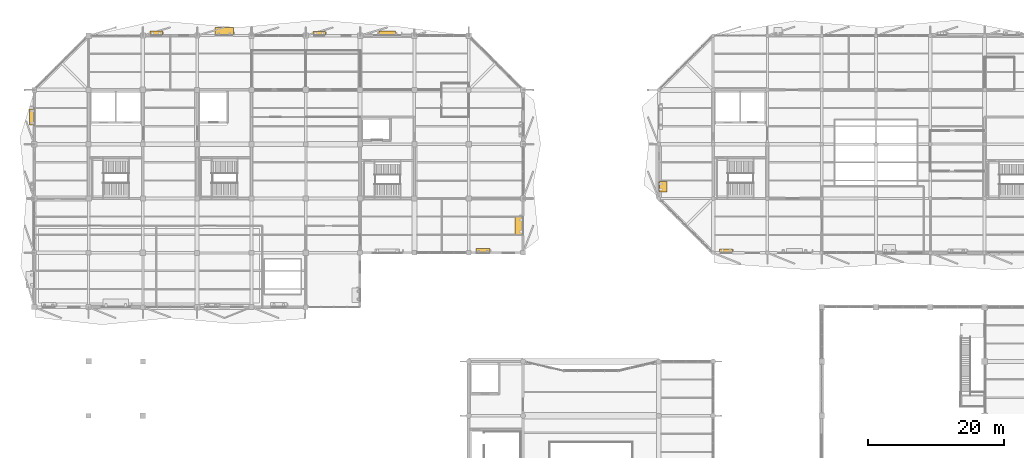
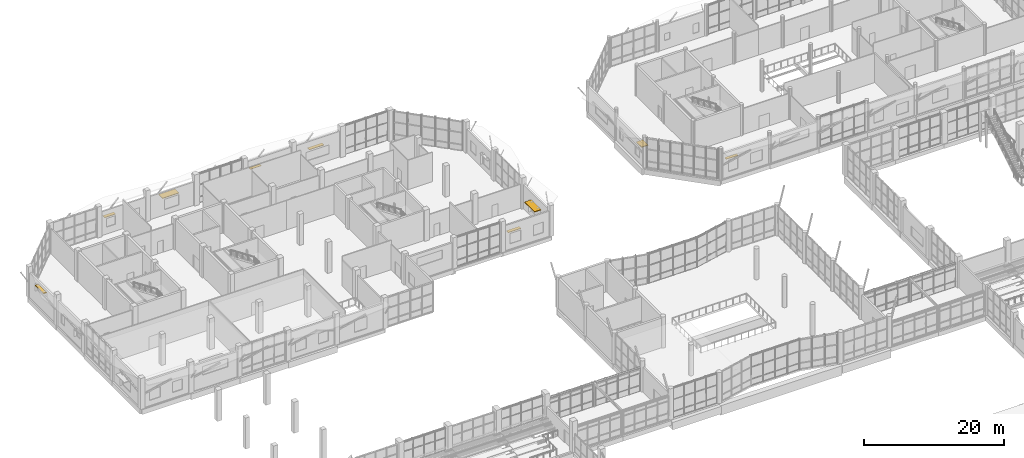
# One storey, part 118 of 122: 9 shading devices.
"""IFC4 building model written with IfcOpenShell, lengths in metres."""

import ifcopenshell
import ifcopenshell.guid

model = None  # the IFC model being written
_history = None  # IfcOwnerHistory: only IFC2X3 demands one
_inside = {}  # id of a spatial element -> (the spatial element, [elements in it])
_under = {}  # id of a project, library or spatial element -> (it, [spatial elements below it])
_declared = {}  # id of a project -> (the project, [libraries it declares])
_typed = {}  # id of a type object -> (the type object, [elements of that type])
_made_of = {}  # id of a material, layer set ... -> (it, [elements and type objects made of it])


def new_model(schema):
    """Start an empty IFC model of exactly this schema.

    Asked for "IFC4X3", IfcOpenShell would pick the latest addendum, in which some entities
    have other attributes; the version numbers below select the first issue.
    IFC2X3 requires an IfcOwnerHistory on every rooted entity: one is made here for all.
    """
    global model, _history
    if schema == "IFC4X3":
        model = ifcopenshell.file(schema_version=(4, 3, 0, 0))
    else:
        model = ifcopenshell.file(schema=schema)
    _inside.clear()
    _under.clear()
    _declared.clear()
    _typed.clear()
    _made_of.clear()
    _history = None
    if model.schema == "IFC2X3":
        org = make("IfcOrganization", Name="unknown")
        user = make(
            "IfcPersonAndOrganization",
            ThePerson=make("IfcPerson", FamilyName="unknown"),
            TheOrganization=org,
        )
        app = make(
            "IfcApplication",
            ApplicationDeveloper=org,
            Version="unknown",
            ApplicationFullName="unknown",
            ApplicationIdentifier="unknown",
        )
        _history = make(
            "IfcOwnerHistory",
            OwningUser=user,
            OwningApplication=app,
            ChangeAction="ADDED",
            CreationDate=0,
        )
    return model


def make(cls, **values):
    """One entity of the class cls with the attributes given. An attribute that is None is left unset."""
    return model.create_entity(
        cls, **{name: value for name, value in values.items() if value is not None}
    )


def rooted(cls, **values):
    """An entity with a GlobalId (a new one), such as an element, a storey or a relation."""
    return make(cls, GlobalId=ifcopenshell.guid.new(), OwnerHistory=_history, **values)


def si_unit(unit_type, name, prefix=None):
    """IfcSIUnit, for example si_unit("LENGTHUNIT", "METRE", prefix="MILLI")."""
    return make("IfcSIUnit", UnitType=unit_type, Prefix=prefix, Name=name)


def assignment(units):
    """IfcUnitAssignment: the units of a project."""
    return None if units is None else make("IfcUnitAssignment", Units=units)


def point(xyz):
    """IfcCartesianPoint."""
    return None if xyz is None else make("IfcCartesianPoint", Coordinates=xyz)


def direction(xyz):
    """IfcDirection."""
    return None if xyz is None else make("IfcDirection", DirectionRatios=xyz)


def frame(location, z_axis=None, x_axis=None):
    """IfcAxis2Placement3D, a coordinate frame: its origin and axes. An axis left out is left unset."""
    return make(
        "IfcAxis2Placement3D",
        Location=point(location),
        Axis=direction(z_axis),
        RefDirection=direction(x_axis),
    )


def frame_2d(location, x_axis=None):
    """IfcAxis2Placement2D, a coordinate frame in the plane: its origin and x axis."""
    return make(
        "IfcAxis2Placement2D", Location=point(location), RefDirection=direction(x_axis)
    )


def origin():
    """The frame at (0, 0, 0) with its axes left unset."""
    return frame((0.0, 0.0, 0.0))


def origin_2d():
    """The frame at (0, 0) in the plane with its x axis left unset."""
    return frame_2d((0.0, 0.0))


def place(relative_to, where):
    """IfcLocalPlacement: puts the frame where relative to a parent placement (None: the world)."""
    return make(
        "IfcLocalPlacement", PlacementRelTo=relative_to, RelativePlacement=where
    )


def context(
    kind, dimensions, precision=None, world=None, true_north=None, identifier=None
):
    """IfcGeometricRepresentationContext, for example the 3D "Model" context."""
    return make(
        "IfcGeometricRepresentationContext",
        ContextIdentifier=identifier,
        ContextType=kind,
        CoordinateSpaceDimension=dimensions,
        Precision=precision,
        WorldCoordinateSystem=world,
        TrueNorth=true_north,
    )


def subcontext(parent, identifier, kind, view, scale=None):
    """IfcGeometricRepresentationSubContext, for example "Body" below "Model"."""
    return make(
        "IfcGeometricRepresentationSubContext",
        ContextIdentifier=identifier,
        ContextType=kind,
        ParentContext=parent,
        TargetScale=scale,
        TargetView=view,
    )


def project(units=None, contexts=None):
    """IfcProject with its units and contexts."""
    return rooted(
        "IfcProject",
        Name="project",
        RepresentationContexts=contexts,
        UnitsInContext=assignment(units),
    )


def spatial(cls, under=None, at=None, **own):
    """A site, building, storey or space (cls), placed at a placement, below another one or the project."""
    s = rooted(cls, ObjectPlacement=at, **own)
    if under is not None:
        _under.setdefault(under.id(), (under, []))[1].append(s)
    return s


def profile(cls, at=None, kind="AREA", **sizes):
    """A parametric profile (cls). Its sizes go by their IFC names, for example OverallWidth=200.0."""
    return make(cls, ProfileType=kind, Position=at, **sizes)


def rectangle(**sizes):
    """IfcRectangleProfileDef."""
    return profile("IfcRectangleProfileDef", **sizes)


def extrude(swept, where, along, depth):
    """IfcExtrudedAreaSolid: the profile swept, set in the frame where, extruded along a direction by depth."""
    return make(
        "IfcExtrudedAreaSolid",
        SweptArea=swept,
        Position=where,
        ExtrudedDirection=direction(along),
        Depth=depth,
    )


def shape(context_of_items, identifier, shape_type, items):
    """IfcShapeRepresentation: the items that make up one representation, for example the "Body"."""
    return make(
        "IfcShapeRepresentation",
        ContextOfItems=context_of_items,
        RepresentationIdentifier=identifier,
        RepresentationType=shape_type,
        Items=items,
    )


def material(Name=None, Category=None):
    """IfcMaterial."""
    return make("IfcMaterial", Name=Name, Category=Category)


def made_of(thing, what):
    """Note that an element or type object is made of a material, layer set ...; save() writes the relation."""
    if what is not None:
        _made_of.setdefault(what.id(), (what, []))[1].append(thing)
    return thing


def type_object(cls, material=None, **own):
    """A type object (cls), such as IfcWallType, which elements share."""
    return made_of(rooted(cls, **own), material)


def element(
    cls,
    number,
    at=None,
    inside=None,
    cuts=None,
    type_object=None,
    material=None,
    context=None,
    identifier="Body",
    shape_type=None,
    held_by="IfcProductDefinitionShape",
    body=None,
    shapes=None,
    **own,
):
    """One element of the class cls, such as IfcWall. Its Tag is "e" and its number.

    at: its placement. inside: the storey or other place that contains it. cuts: it is an
    opening in that element (IfcRelVoidsElement). A single representation is given by context,
    identifier, shape_type and body (its items); several are given by shapes. held_by: the class
    of the entity that holds the representations. save() writes the other relations.
    """
    e = rooted(cls, Tag="e%d" % number, ObjectPlacement=at, **own)
    if body is not None:
        shapes = [shape(context, identifier, shape_type, body)]
    if shapes is not None:
        e.Representation = make(held_by, Representations=shapes)
    if inside is not None:
        _inside.setdefault(inside.id(), (inside, []))[1].append(e)
    if cuts is not None:
        rooted(
            "IfcRelVoidsElement", RelatingBuildingElement=cuts, RelatedOpeningElement=e
        )
    if type_object is not None:
        _typed.setdefault(type_object.id(), (type_object, []))[1].append(e)
    return made_of(e, material)


def aggregate(whole, parts):
    """IfcRelAggregates: a whole, such as a stair, and the parts it consists of."""
    return rooted("IfcRelAggregates", RelatingObject=whole, RelatedObjects=parts)


def save(model, path):
    """Write the relations noted so far, then the file.

    IfcRelAggregates (storeys below a building ...), IfcRelContainedInSpatialStructure (elements
    in a storey), IfcRelDefinesByType, IfcRelAssociatesMaterial and IfcRelDeclares: one each for
    every whole, place, type object, material and project.
    """
    for whole, parts in _under.values():
        aggregate(whole, parts)
    for where, things in _inside.values():
        rooted(
            "IfcRelContainedInSpatialStructure",
            RelatedElements=things,
            RelatingStructure=where,
        )
    for kind, things in _typed.values():
        rooted("IfcRelDefinesByType", RelatedObjects=things, RelatingType=kind)
    for what, things in _made_of.values():
        rooted("IfcRelAssociatesMaterial", RelatedObjects=things, RelatingMaterial=what)
    for by, libraries in _declared.values():
        rooted("IfcRelDeclares", RelatingContext=by, RelatedDefinitions=libraries)
    model.write(path)


model = new_model("IFC4")

# Units and contexts
model_context = context("Model", 3, precision=1e-05, world=origin(), true_north=direction((0.0, 1.0)))
body_context = subcontext(model_context, "Body", "Model", "MODEL_VIEW")
ifc_project = project(units=[si_unit("LENGTHUNIT", "METRE"), si_unit("AREAUNIT", "SQUARE_METRE"), si_unit("VOLUMEUNIT", "CUBIC_METRE"), si_unit("PLANEANGLEUNIT", "RADIAN"), si_unit("MASSUNIT", "GRAM", prefix="KILO")], contexts=[model_context])

# Site, building, storey
site_placement = place(None, origin())
site = spatial("IfcSite", under=ifc_project, at=site_placement, CompositionType="ELEMENT")
building_placement = place(site_placement, origin())
building = spatial("IfcBuilding", under=site, at=building_placement, Name="Tenunan Teduh Sports Hall", CompositionType="ELEMENT")
storey_placement = place(building_placement, frame((0.0, 0.0, 5.39990234375)))
storey = spatial("IfcBuildingStorey", under=building, at=storey_placement, Name="L01", CompositionType="ELEMENT", Elevation=5.39990234375)

# Shading devices
ifc_material_1 = material(Name="Perforated anodised aluminium", Category="aluminium")
shading_device_type_1 = type_object("IfcShadingDeviceType", Name="SHD-LOUVRE-1", PredefinedType="AWNING", material=ifc_material_1)
shading_device_1_placement = place(storey_placement, frame((47.97509765625, 118.344970703125, 2.719970703125), z_axis=(0.0, 0.0, 1.0), x_axis=(1.0, 0.0, 0.0)))
element("IfcShadingDevice", 1, at=shading_device_1_placement, inside=storey, type_object=shading_device_type_1, Name="SHD-L01-033", PredefinedType="AWNING", context=body_context, shape_type="SweptSolid", body=[
    extrude(rectangle(XDim=1.800048828125, YDim=0.449951171875, at=origin_2d()), origin(), (0.0, 0.0, 1.0), 0.080078125),
])
shading_device_2_placement = place(storey_placement, frame((107.925048828125, 86.344970703125, 2.920166015625), z_axis=(0.0, 0.0, 1.0), x_axis=(1.0, 0.0, 0.0)))
element("IfcShadingDevice", 2, at=shading_device_2_placement, inside=storey, type_object=shading_device_type_1, Name="SHD-L01-081", PredefinedType="AWNING", context=body_context, shape_type="SweptSolid", body=[
    extrude(rectangle(XDim=1.89990234375, YDim=0.449951171875, at=origin_2d()), origin(), (0.0, 0.0, 1.0), 0.080078125),
])
ifc_material_2 = material(Name="Perforated anodised aluminium", Category="aluminium")
shading_device_type_2 = type_object("IfcShadingDeviceType", Name="SHD-LOUVRE-2", PredefinedType="SHUTTER", material=ifc_material_2)
shading_device_3_placement = place(storey_placement, frame((72.10009765625, 86.375, 2.71484375), z_axis=(0.0, 0.0, 1.0), x_axis=(1.0, 0.0, 0.0)))
element("IfcShadingDevice", 3, at=shading_device_3_placement, inside=storey, type_object=shading_device_type_2, Name="SHD-L01-028", PredefinedType="SHUTTER", context=body_context, shape_type="SweptSolid", body=[
    extrude(rectangle(XDim=2.10009765625, YDim=0.550048828125, at=origin_2d()), origin(), (0.0, 0.0, 1.0), 0.090087890625),
])
shading_device_4_placement = place(storey_placement, frame((23.97509765625, 118.375, 2.71484375), z_axis=(0.0, 0.0, 1.0), x_axis=(1.0, 0.0, 0.0)))
element("IfcShadingDevice", 4, at=shading_device_4_placement, inside=storey, type_object=shading_device_type_2, Name="SHD-L01-031", PredefinedType="SHUTTER", context=body_context, shape_type="SweptSolid", body=[
    extrude(rectangle(XDim=1.800048828125, YDim=0.550048828125, at=origin_2d()), origin(), (0.0, 0.0, 1.0), 0.090087890625),
])
for number, where, z_axis, x_axis, name in (
    (5, (58.0, 118.389892578125, 2.71484375), (0.0, 0.0, 1.0), (1.0, 0.0, 0.0), "SHD-L01-034"),
    (6, (5.610107421875, 106.014892578125, 3.76513671875), (0.0, 0.0, 1.0), (0.0, 1.0, 0.0), "SHD-L01-037"),
):
    element("IfcShadingDevice", number, at=place(storey_placement, frame(where, z_axis=z_axis, x_axis=x_axis)), inside=storey, type_object=shading_device_type_2, Name=name, PredefinedType="SHUTTER", context=body_context, shape_type="SweptSolid", body=[
        extrude(rectangle(XDim=2.39990234375, YDim=0.550048828125, at=origin_2d()), origin(), (0.0, 0.0, 1.0), 0.090087890625),
    ])
ifc_material_3 = material(Name="Perforated anodised aluminium", Category="aluminium")
shading_device_type_3 = type_object("IfcShadingDeviceType", Name="SHD-SUNSHADE-1", PredefinedType="JALOUSIE", material=ifc_material_3)
shading_device_5_placement = place(storey_placement, frame((77.3349609375, 89.97509765625, 2.800048828125), z_axis=(0.0, 0.0, 1.0), x_axis=(0.0, 1.0, 0.0)))
element("IfcShadingDevice", 7, at=shading_device_5_placement, inside=storey, type_object=shading_device_type_3, Name="SHD-L01-029", PredefinedType="JALOUSIE", context=body_context, shape_type="SweptSolid", body=[
    extrude(rectangle(XDim=2.85009765625, YDim=1.10009765625, at=origin_2d()), origin(), (0.0, 0.0, 1.0), 0.1201171875),
])
shading_device_6_placement = place(storey_placement, frame((33.969970703125, 118.6650390625, 2.699951171875), z_axis=(0.0, 0.0, 1.0), x_axis=(1.0, 0.0, 0.0)))
element("IfcShadingDevice", 8, at=shading_device_6_placement, inside=storey, type_object=shading_device_type_3, Name="SHD-L01-032", PredefinedType="JALOUSIE", context=body_context, shape_type="SweptSolid", body=[
    extrude(rectangle(XDim=2.699951171875, YDim=1.10009765625, at=origin_2d()), origin(), (0.0, 0.0, 1.0), 0.1201171875),
])
shading_device_7_placement = place(storey_placement, frame((98.669921875, 95.72509765625, 2.699951171875), z_axis=(0.0, 0.0, 1.0), x_axis=(0.0, 1.0, 0.0)))
element("IfcShadingDevice", 9, at=shading_device_7_placement, inside=storey, type_object=shading_device_type_3, Name="SHD-L01-089", PredefinedType="JALOUSIE", context=body_context, shape_type="SweptSolid", body=[
    extrude(rectangle(XDim=1.5, YDim=1.10009765625, at=origin_2d()), origin(), (0.0, 0.0, 1.0), 0.1201171875),
])

save(model, "model.ifc")
